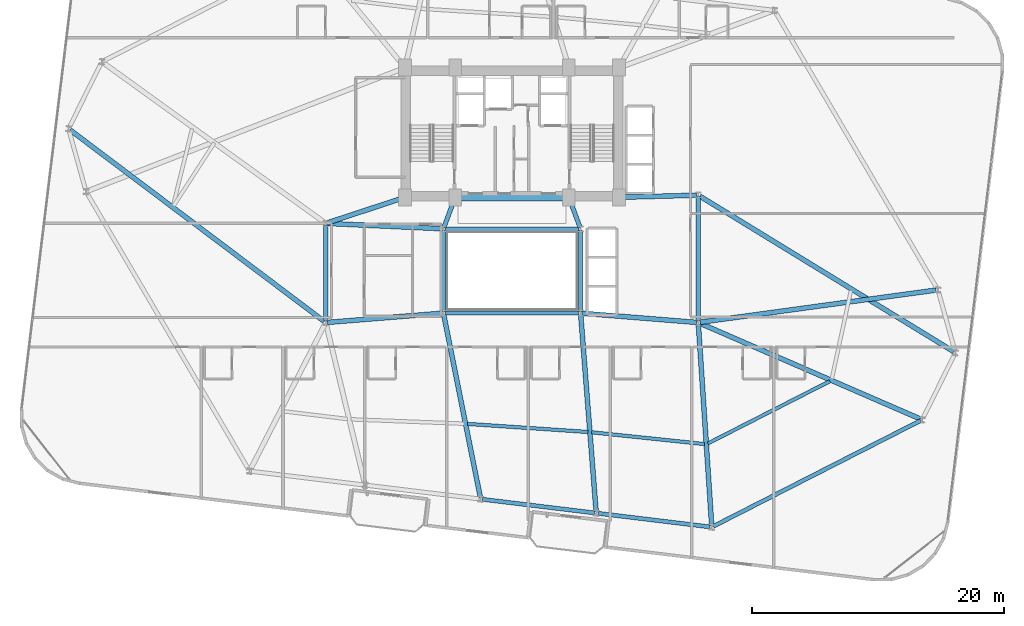
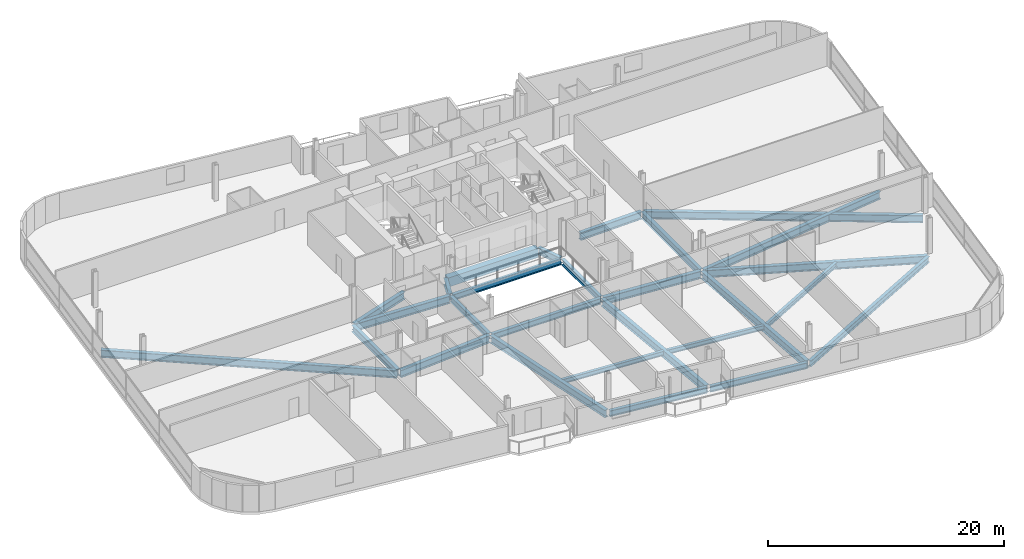
# One storey, part 7 of 26: 27 beams.
"""IFC4 building model written with IfcOpenShell, lengths in metres."""

from ifc_helpers import new_model, si_unit, direction, frame, origin, origin_2d, place, context, subcontext, project, spatial, rectangle, i_section, extrude, material, material_profile, profile_set, type_object, element, save


model = new_model("IFC4")

# Units and contexts
model_context = context("Model", 3, precision=1e-05, world=origin(), true_north=direction((0.0, 1.0)))
body_context = subcontext(model_context, "Body", "Model", "MODEL_VIEW")
ifc_project = project(units=[si_unit("LENGTHUNIT", "METRE"), si_unit("AREAUNIT", "SQUARE_METRE"), si_unit("VOLUMEUNIT", "CUBIC_METRE"), si_unit("PLANEANGLEUNIT", "RADIAN"), si_unit("MASSUNIT", "GRAM", prefix="KILO")], contexts=[model_context])

# Site, building, storey
site_placement = place(None, origin())
site = spatial("IfcSite", under=ifc_project, at=site_placement, CompositionType="ELEMENT")
building_placement = place(site_placement, origin())
building = spatial("IfcBuilding", under=site, at=building_placement, Name="Varnelok Gate Tower", CompositionType="ELEMENT")
storey_placement = place(building_placement, frame((0.0, 0.0, 121.699951171875)))
storey = spatial("IfcBuildingStorey", under=building, at=storey_placement, Name="L30", CompositionType="ELEMENT", Elevation=121.699951171875)

# Beams
ifc_material_1 = material(Name="Structural Steel ASTM A992 Grade 50", Category="steel")
ifc_material_profile_1 = material_profile(ifc_material_1, i_section(OverallWidth=0.280029296875, OverallDepth=0.462890625, WebThickness=0.0107421875, FlangeThickness=0.017333984375, FilletRadius=0.014892578125, at=origin_2d()), Name="W18X76")
ifc_profile_set_1 = profile_set([ifc_material_profile_1], Name="Structural Steel ASTM A992 Grade 50")
beam_type_1 = type_object("IfcBeamType", Name="BM-JST-W18X76", PredefinedType="JOIST", material=ifc_profile_set_1)
beam_1_placement = place(storey_placement, frame((35.651611328125, 10.74658203125, -0.4814453125), z_axis=(0.997760046708, -0.066894612588, 0.0), x_axis=(0.066894612588, 0.997760046708, 0.0)))
element("IfcBeam", 1, at=beam_1_placement, inside=storey, type_object=beam_type_1, Name="L30 Sector Floor Joist 3", PredefinedType="JOIST", context=body_context, shape_type="SweptSolid", body=[
    extrude(i_section(OverallWidth=0.280029296875, OverallDepth=0.462890625, WebThickness=0.0107421875, FlangeThickness=0.017333984375, FilletRadius=0.014892578125, at=origin_2d()), origin(), (0.0, 0.0, 1.0), 9.620361328125),
])
beam_2_placement = place(storey_placement, frame((45.529296875, 10.0791015625, -0.4814453125), z_axis=(0.994590833623, -0.103870465835, 0.0), x_axis=(0.103870465835, 0.994590833623, 0.0)))
element("IfcBeam", 2, at=beam_2_placement, inside=storey, type_object=beam_type_1, Name="L30 Sector Floor Joist 4", PredefinedType="JOIST", context=body_context, shape_type="SweptSolid", body=[
    extrude(i_section(OverallWidth=0.280029296875, OverallDepth=0.462890625, WebThickness=0.0107421875, FlangeThickness=0.017333984375, FilletRadius=0.014892578125, at=origin_2d()), origin(), (0.0, 0.0, 1.0), 9.02099609375),
])
beam_3_placement = place(storey_placement, frame((54.765380859375, 9.19140625, -0.4814453125), z_axis=(0.890737225888, 0.454518640341, 0.0), x_axis=(-0.454518640341, 0.890737225888, 0.0)))
element("IfcBeam", 3, at=beam_3_placement, inside=storey, type_object=beam_type_1, Name="L30 Sector Floor Joist 5", PredefinedType="JOIST", context=body_context, shape_type="SweptSolid", body=[
    extrude(i_section(OverallWidth=0.280029296875, OverallDepth=0.462890625, WebThickness=0.0107421875, FlangeThickness=0.017333984375, FilletRadius=0.014892578125, at=origin_2d()), origin(), (0.0, 0.0, 1.0), 10.88623046875),
])
ifc_material_2 = material(Name="Concrete C60/75", Category="concrete")
ifc_material_profile_2 = material_profile(ifc_material_2, rectangle(XDim=0.60009765625, YDim=0.949951171875, at=origin_2d()), Name="RC950X600")
ifc_profile_set_2 = profile_set([ifc_material_profile_2], Name="Concrete C60/75")
beam_type_2 = type_object("IfcBeamType", Name="BM-LNT-RC950", PredefinedType="LINTEL", material=ifc_profile_set_2)
beam_4_placement = place(storey_placement, frame((34.800048828125, 28.75, -0.724853515625), z_axis=(1.0, 0.0, 0.0), x_axis=(0.0, 1.0, 0.0)))
element("IfcBeam", 4, at=beam_4_placement, inside=storey, type_object=beam_type_2, Name="L30 Core-Atrium Spine Beam 7", PredefinedType="LINTEL", context=body_context, shape_type="SweptSolid", body=[
    extrude(rectangle(XDim=0.60009765625, YDim=0.949951171875, at=origin_2d()), origin(), (0.0, 0.0, 1.0), 8.800048828125),
])
ifc_material_profile_3 = material_profile(ifc_material_1, i_section(OverallWidth=0.35498046875, OverallDepth=0.696044921875, WebThickness=0.015380859375, FlangeThickness=0.02490234375, FilletRadius=0.02001953125, at=origin_2d()), Name="W27X146")
ifc_profile_set_3 = profile_set([ifc_material_profile_3], Name="Structural Steel ASTM A992 Grade 50")
beam_type_3 = type_object("IfcBeamType", Name="BM-PRI-W27X146", PredefinedType="BEAM", material=ifc_profile_set_3)
for number, where, z_axis, x_axis, name in (
    (5, (33.791748046875, 26.362548828125, -0.597900390625), (0.348719329408, 0.937227202602, 0.0), (-0.937227202602, 0.348719329408, 0.0), "L30 Core-Atrium Spine Beam 12"),
    (6, (44.608154296875, 26.362548828125, -0.597900390625), (-0.348719329408, 0.937227202602, 0.0), (-0.937227202602, -0.348719329408, 0.0), "L30 Core-Atrium Spine Beam 13"),
):
    element("IfcBeam", number, at=place(storey_placement, frame(where, z_axis=z_axis, x_axis=x_axis)), inside=storey, type_object=beam_type_3, Name=name, PredefinedType="BEAM", context=body_context, shape_type="SweptSolid", body=[
        extrude(i_section(OverallWidth=0.35498046875, OverallDepth=0.696044921875, WebThickness=0.015380859375, FlangeThickness=0.02490234375, FilletRadius=0.02001953125, at=origin_2d()), origin(), (0.0, 0.0, 1.0), 2.42724609375),
    ])
beam_5_placement = place(storey_placement, frame((24.39990234375, 18.919921875, -0.597900390625), z_axis=(0.0, 1.0, 0.0), x_axis=(-1.0, 0.0, 0.0)))
element("IfcBeam", 7, at=beam_5_placement, inside=storey, type_object=beam_type_3, Name="L30 Core-Atrium Spine Beam 16", PredefinedType="BEAM", context=body_context, shape_type="SweptSolid", body=[
    extrude(i_section(OverallWidth=0.35498046875, OverallDepth=0.696044921875, WebThickness=0.015380859375, FlangeThickness=0.02490234375, FilletRadius=0.02001953125, at=origin_2d()), origin(), (0.0, 0.0, 1.0), 7.64013671875),
])
beam_6_placement = place(storey_placement, frame((54.0, 18.919921875, -0.597900390625), z_axis=(0.0, 1.0, 0.0), x_axis=(-1.0, 0.0, 0.0)))
element("IfcBeam", 8, at=beam_6_placement, inside=storey, type_object=beam_type_3, Name="L30 Core-Atrium Spine Beam 20", PredefinedType="BEAM", context=body_context, shape_type="SweptSolid", body=[
    extrude(i_section(OverallWidth=0.35498046875, OverallDepth=0.696044921875, WebThickness=0.015380859375, FlangeThickness=0.02490234375, FilletRadius=0.02001953125, at=origin_2d()), origin(), (0.0, 0.0, 1.0), 9.880126953125),
])
ifc_material_profile_4 = material_profile(ifc_material_1, i_section(OverallWidth=0.381103515625, OverallDepth=0.77294921875, WebThickness=0.0166015625, FlangeThickness=0.027099609375, FilletRadius=0.02197265625, at=origin_2d()), Name="W30X173")
ifc_profile_set_4 = profile_set([ifc_material_profile_4], Name="Structural Steel ASTM A992 Grade 50")
beam_type_4 = type_object("IfcBeamType", Name="BM-PRI-W30X173", PredefinedType="BEAM", material=ifc_profile_set_4)
beam_7_placement = place(storey_placement, frame((24.51953125, 18.8095703125, -0.636474609375), z_axis=(0.996799206292, 0.07994587128, 0.0), x_axis=(-0.07994587128, 0.996799206292, 0.0)))
element("IfcBeam", 9, at=beam_7_placement, inside=storey, type_object=beam_type_4, Name="L30 Core-Atrium Spine Beam 14", PredefinedType="BEAM", context=body_context, shape_type="SweptSolid", body=[
    extrude(i_section(OverallWidth=0.381103515625, OverallDepth=0.77294921875, WebThickness=0.0166015625, FlangeThickness=0.027099609375, FilletRadius=0.02197265625, at=origin_2d()), origin(), (0.0, 0.0, 1.0), 9.14013671875),
])
beam_8_placement = place(storey_placement, frame((24.52001953125, 26.674560546875, -0.636474609375), z_axis=(0.99894427814, -0.045938319209, 0.0), x_axis=(0.045938319209, 0.99894427814, 0.0)))
element("IfcBeam", 10, at=beam_8_placement, inside=storey, type_object=beam_type_4, Name="L30 Core-Atrium Spine Beam 15", PredefinedType="BEAM", context=body_context, shape_type="SweptSolid", body=[
    extrude(i_section(OverallWidth=0.381103515625, OverallDepth=0.77294921875, WebThickness=0.0166015625, FlangeThickness=0.027099609375, FilletRadius=0.02197265625, at=origin_2d()), origin(), (0.0, 0.0, 1.0), 9.11962890625),
])
beam_9_placement = place(storey_placement, frame((24.513916015625, 26.717529296875, -0.636474609375), z_axis=(0.950041943788, 0.312122259768, 0.0), x_axis=(-0.312122259768, 0.950041943788, 0.0)))
element("IfcBeam", 11, at=beam_9_placement, inside=storey, type_object=beam_type_4, Name="L30 Core-Atrium Spine Beam 17", PredefinedType="BEAM", context=body_context, shape_type="SweptSolid", body=[
    extrude(i_section(OverallWidth=0.381103515625, OverallDepth=0.77294921875, WebThickness=0.0166015625, FlangeThickness=0.027099609375, FilletRadius=0.02197265625, at=origin_2d()), origin(), (0.0, 0.0, 1.0), 6.391357421875),
])
beam_10_placement = place(storey_placement, frame((44.76953125, 19.540283203125, -0.636474609375), z_axis=(0.996799206292, -0.07994587128, 0.0), x_axis=(0.07994587128, 0.996799206292, 0.0)))
element("IfcBeam", 12, at=beam_10_placement, inside=storey, type_object=beam_type_4, Name="L30 Core-Atrium Spine Beam 18", PredefinedType="BEAM", context=body_context, shape_type="SweptSolid", body=[
    extrude(i_section(OverallWidth=0.381103515625, OverallDepth=0.77294921875, WebThickness=0.0166015625, FlangeThickness=0.027099609375, FilletRadius=0.02197265625, at=origin_2d()), origin(), (0.0, 0.0, 1.0), 9.14013671875),
])
beam_11_placement = place(storey_placement, frame((47.820068359375, 28.753173828125, -0.636474609375), z_axis=(0.999635880609, 0.026983443053, 0.0), x_axis=(-0.026983443053, 0.999635880609, 0.0)))
element("IfcBeam", 13, at=beam_11_placement, inside=storey, type_object=beam_type_4, Name="L30 Core-Atrium Spine Beam 19", PredefinedType="BEAM", context=body_context, shape_type="SweptSolid", body=[
    extrude(i_section(OverallWidth=0.381103515625, OverallDepth=0.77294921875, WebThickness=0.0166015625, FlangeThickness=0.027099609375, FilletRadius=0.02197265625, at=origin_2d()), origin(), (0.0, 0.0, 1.0), 6.06201171875),
])
beam_12_placement = place(storey_placement, frame((33.779541015625, 19.40283203125, -0.636474609375), z_axis=(0.1964593524, -0.980511969766, 0.0), x_axis=(0.980511969766, 0.1964593524, 0.0)))
element("IfcBeam", 14, at=beam_12_placement, inside=storey, type_object=beam_type_4, Name="L30 Radial Floor Girder 3", PredefinedType="BEAM", context=body_context, shape_type="SweptSolid", body=[
    extrude(i_section(OverallWidth=0.381103515625, OverallDepth=0.77294921875, WebThickness=0.0166015625, FlangeThickness=0.027099609375, FilletRadius=0.02197265625, at=origin_2d()), origin(), (0.0, 0.0, 1.0), 14.773193359375),
])
beam_13_placement = place(storey_placement, frame((44.66162109375, 19.400390625, -0.636474609375), z_axis=(0.078042805068, -0.996950009066, 0.0), x_axis=(0.996950009066, 0.078042805068, 0.0)))
element("IfcBeam", 15, at=beam_13_placement, inside=storey, type_object=beam_type_4, Name="L30 Radial Floor Girder 4", PredefinedType="BEAM", context=body_context, shape_type="SweptSolid", body=[
    extrude(i_section(OverallWidth=0.381103515625, OverallDepth=0.77294921875, WebThickness=0.0166015625, FlangeThickness=0.027099609375, FilletRadius=0.02197265625, at=origin_2d()), origin(), (0.0, 0.0, 1.0), 15.641357421875),
])
beam_14_placement = place(storey_placement, frame((54.010009765625, 18.650390625, -0.636474609375), z_axis=(0.066089376194, -0.997813707239, 0.0), x_axis=(0.997813707239, 0.066089376194, 0.0)))
element("IfcBeam", 16, at=beam_14_placement, inside=storey, type_object=beam_type_4, Name="L30 Radial Floor Girder 5", PredefinedType="BEAM", context=body_context, shape_type="SweptSolid", body=[
    extrude(i_section(OverallWidth=0.381103515625, OverallDepth=0.77294921875, WebThickness=0.0166015625, FlangeThickness=0.027099609375, FilletRadius=0.02197265625, at=origin_2d()), origin(), (0.0, 0.0, 1.0), 15.99169921875),
])
beam_15_placement = place(storey_placement, frame((54.1376953125, 18.740234375, -0.636474609375), z_axis=(0.917259371715, -0.398290402848, 0.0), x_axis=(0.398290402848, 0.917259371715, 0.0)))
element("IfcBeam", 17, at=beam_15_placement, inside=storey, type_object=beam_type_4, Name="L30 Radial Floor Girder 6", PredefinedType="BEAM", context=body_context, shape_type="SweptSolid", body=[
    extrude(i_section(OverallWidth=0.381103515625, OverallDepth=0.77294921875, WebThickness=0.0166015625, FlangeThickness=0.027099609375, FilletRadius=0.02197265625, at=origin_2d()), origin(), (0.0, 0.0, 1.0), 19.09765625),
])
beam_16_placement = place(storey_placement, frame((54.1279296875, 28.841796875, -0.636474609375), z_axis=(0.852781066678, -0.522268563399, 0.0), x_axis=(0.522268563399, 0.852781066678, 0.0)))
element("IfcBeam", 18, at=beam_16_placement, inside=storey, type_object=beam_type_4, Name="L30 Radial Floor Girder 7", PredefinedType="BEAM", context=body_context, shape_type="SweptSolid", body=[
    extrude(i_section(OverallWidth=0.381103515625, OverallDepth=0.77294921875, WebThickness=0.0166015625, FlangeThickness=0.027099609375, FilletRadius=0.02197265625, at=origin_2d()), origin(), (0.0, 0.0, 1.0), 23.663330078125),
])
beam_17_placement = place(storey_placement, frame((54.148681640625, 18.8203125, -0.636474609375), z_axis=(0.990818465143, 0.135198998265, 0.0), x_axis=(-0.135198998265, 0.990818465143, 0.0)))
element("IfcBeam", 19, at=beam_17_placement, inside=storey, type_object=beam_type_4, Name="L30 Radial Floor Girder 8", PredefinedType="BEAM", context=body_context, shape_type="SweptSolid", body=[
    extrude(i_section(OverallWidth=0.381103515625, OverallDepth=0.77294921875, WebThickness=0.0166015625, FlangeThickness=0.027099609375, FilletRadius=0.02197265625, at=origin_2d()), origin(), (0.0, 0.0, 1.0), 18.921142578125),
])
beam_18_placement = place(storey_placement, frame((24.2802734375, 18.890380859375, -0.636474609375), z_axis=(-0.798720202065, 0.601702616591, 0.0), x_axis=(-0.601702616591, -0.798720202065, 0.0)))
element("IfcBeam", 20, at=beam_18_placement, inside=storey, type_object=beam_type_4, Name="L30 Radial Floor Girder 15", PredefinedType="BEAM", context=body_context, shape_type="SweptSolid", body=[
    extrude(i_section(OverallWidth=0.381103515625, OverallDepth=0.77294921875, WebThickness=0.0166015625, FlangeThickness=0.027099609375, FilletRadius=0.02197265625, at=origin_2d()), origin(), (0.0, 0.0, 1.0), 25.285400390625),
])
ifc_material_profile_5 = material_profile(ifc_material_1, i_section(OverallWidth=0.323974609375, OverallDepth=0.611083984375, WebThickness=0.0126953125, FlangeThickness=0.01904296875, FilletRadius=0.01806640625, at=origin_2d()), Name="W24X104")
ifc_profile_set_5 = profile_set([ifc_material_profile_5], Name="Structural Steel ASTM A992 Grade 50")
beam_type_5 = type_object("IfcBeamType", Name="BM-SPN-W24X104", PredefinedType="SPANDREL", material=ifc_profile_set_5)
for number, where, z_axis, x_axis, name in (
    (21, (33.8701171875, 19.550048828125, -0.555419921875), (1.0, 0.0, 0.0), (0.0, 1.0, 0.0), "L30 Core-Atrium Spine Beam 8"),
    (22, (33.8701171875, 26.25, -0.555419921875), (1.0, 0.0, 0.0), (0.0, 1.0, 0.0), "L30 Core-Atrium Spine Beam 9"),
):
    element("IfcBeam", number, at=place(storey_placement, frame(where, z_axis=z_axis, x_axis=x_axis)), inside=storey, type_object=beam_type_5, Name=name, PredefinedType="SPANDREL", context=body_context, shape_type="SweptSolid", body=[
        extrude(i_section(OverallWidth=0.323974609375, OverallDepth=0.611083984375, WebThickness=0.0126953125, FlangeThickness=0.01904296875, FilletRadius=0.01806640625, at=origin_2d()), origin(), (0.0, 0.0, 1.0), 10.659912109375),
    ])
for number, where, z_axis, x_axis, name in (
    (23, (33.75, 19.669921875, -0.555419921875), (0.0, 1.0, 0.0), (-1.0, 0.0, 0.0), "L30 Core-Atrium Spine Beam 10"),
    (24, (44.64990234375, 19.669921875, -0.555419921875), (0.0, 1.0, 0.0), (-1.0, 0.0, 0.0), "L30 Core-Atrium Spine Beam 11"),
):
    element("IfcBeam", number, at=place(storey_placement, frame(where, z_axis=z_axis, x_axis=x_axis)), inside=storey, type_object=beam_type_5, Name=name, PredefinedType="SPANDREL", context=body_context, shape_type="SweptSolid", body=[
        extrude(i_section(OverallWidth=0.323974609375, OverallDepth=0.611083984375, WebThickness=0.0126953125, FlangeThickness=0.01904296875, FilletRadius=0.01806640625, at=origin_2d()), origin(), (0.0, 0.0, 1.0), 6.4599609375),
    ])
for number, where, z_axis, x_axis, name in (
    (25, (36.860107421875, 4.752197265625, -0.555419921875), (0.992734670707, -0.120324035735, 0.0), (0.120324035735, 0.992734670707, 0.0), "L30 Perimeter Spandrel Beam 3"),
    (26, (46.04296875, 3.638916015625, -0.555419921875), (0.992734670707, -0.120324035735, 0.0), (0.120324035735, 0.992734670707, 0.0), "L30 Perimeter Spandrel Beam 4"),
):
    element("IfcBeam", number, at=place(storey_placement, frame(where, z_axis=z_axis, x_axis=x_axis)), inside=storey, type_object=beam_type_5, Name=name, PredefinedType="SPANDREL", context=body_context, shape_type="SweptSolid", body=[
        extrude(i_section(OverallWidth=0.323974609375, OverallDepth=0.611083984375, WebThickness=0.0126953125, FlangeThickness=0.01904296875, FilletRadius=0.01806640625, at=origin_2d()), origin(), (0.0, 0.0, 1.0), 8.949951171875),
    ])
beam_19_placement = place(storey_placement, frame((55.21044921875, 2.612060546875, -0.555419921875), z_axis=(0.890721671543, 0.454549121486, 0.0), x_axis=(-0.454549121486, 0.890721671543, 0.0)))
element("IfcBeam", 27, at=beam_19_placement, inside=storey, type_object=beam_type_5, Name="L30 Perimeter Spandrel Beam 5", PredefinedType="SPANDREL", context=body_context, shape_type="SweptSolid", body=[
    extrude(i_section(OverallWidth=0.323974609375, OverallDepth=0.611083984375, WebThickness=0.0126953125, FlangeThickness=0.01904296875, FilletRadius=0.01806640625, at=origin_2d()), origin(), (0.0, 0.0, 1.0), 18.466796875),
])

save(model, "model.ifc")
